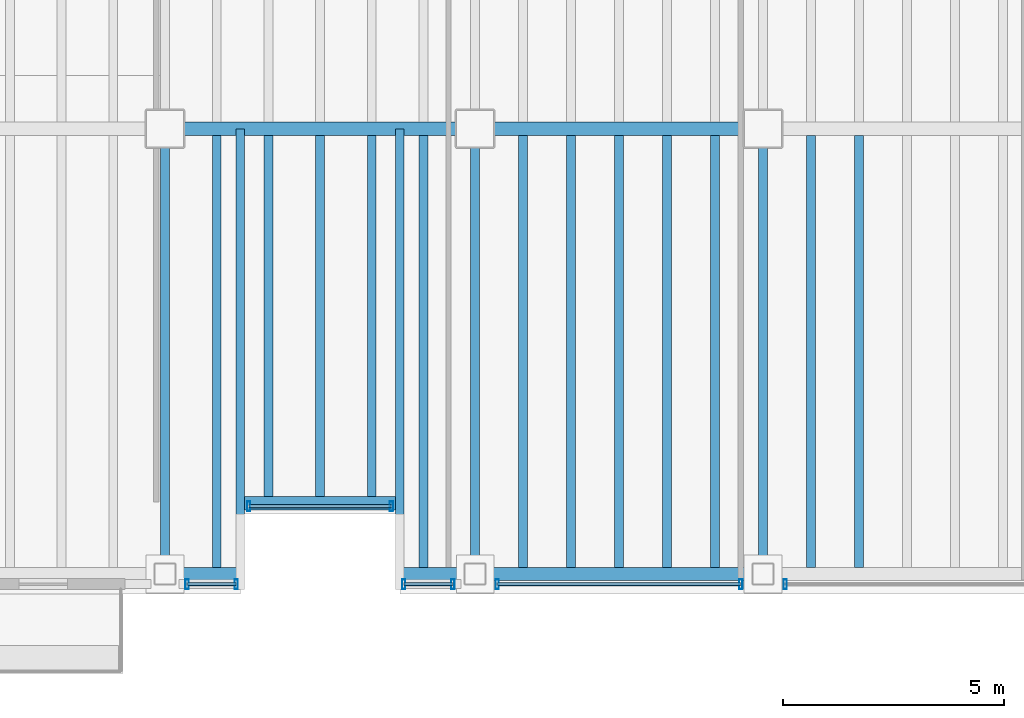
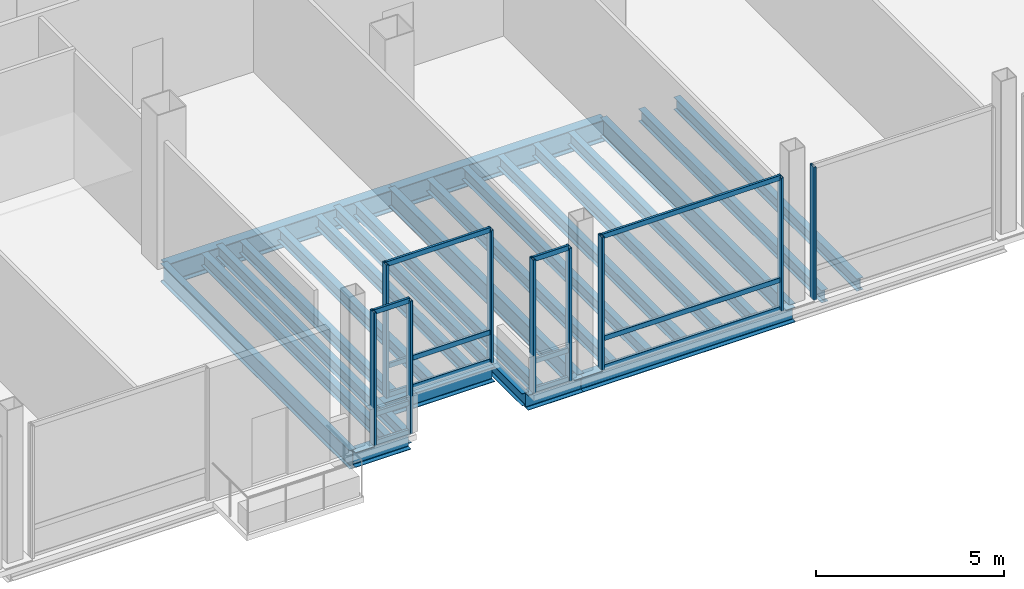
# One storey, part 5 of 22: 23 beams, 21 members, 5 elements without a shape of their own.
"""IFC4 building model written with IfcOpenShell, lengths in metres."""

import ifcopenshell
import ifcopenshell.guid

model = None  # the IFC model being written
_history = None  # IfcOwnerHistory: only IFC2X3 demands one
_inside = {}  # id of a spatial element -> (the spatial element, [elements in it])
_under = {}  # id of a project, library or spatial element -> (it, [spatial elements below it])
_declared = {}  # id of a project -> (the project, [libraries it declares])
_typed = {}  # id of a type object -> (the type object, [elements of that type])
_made_of = {}  # id of a material, layer set ... -> (it, [elements and type objects made of it])


def new_model(schema):
    """Start an empty IFC model of exactly this schema.

    Asked for "IFC4X3", IfcOpenShell would pick the latest addendum, in which some entities
    have other attributes; the version numbers below select the first issue.
    IFC2X3 requires an IfcOwnerHistory on every rooted entity: one is made here for all.
    """
    global model, _history
    if schema == "IFC4X3":
        model = ifcopenshell.file(schema_version=(4, 3, 0, 0))
    else:
        model = ifcopenshell.file(schema=schema)
    _inside.clear()
    _under.clear()
    _declared.clear()
    _typed.clear()
    _made_of.clear()
    _history = None
    if model.schema == "IFC2X3":
        org = make("IfcOrganization", Name="unknown")
        user = make(
            "IfcPersonAndOrganization",
            ThePerson=make("IfcPerson", FamilyName="unknown"),
            TheOrganization=org,
        )
        app = make(
            "IfcApplication",
            ApplicationDeveloper=org,
            Version="unknown",
            ApplicationFullName="unknown",
            ApplicationIdentifier="unknown",
        )
        _history = make(
            "IfcOwnerHistory",
            OwningUser=user,
            OwningApplication=app,
            ChangeAction="ADDED",
            CreationDate=0,
        )
    return model


def make(cls, **values):
    """One entity of the class cls with the attributes given. An attribute that is None is left unset."""
    return model.create_entity(
        cls, **{name: value for name, value in values.items() if value is not None}
    )


def rooted(cls, **values):
    """An entity with a GlobalId (a new one), such as an element, a storey or a relation."""
    return make(cls, GlobalId=ifcopenshell.guid.new(), OwnerHistory=_history, **values)


def si_unit(unit_type, name, prefix=None):
    """IfcSIUnit, for example si_unit("LENGTHUNIT", "METRE", prefix="MILLI")."""
    return make("IfcSIUnit", UnitType=unit_type, Prefix=prefix, Name=name)


def assignment(units):
    """IfcUnitAssignment: the units of a project."""
    return None if units is None else make("IfcUnitAssignment", Units=units)


def point(xyz):
    """IfcCartesianPoint."""
    return None if xyz is None else make("IfcCartesianPoint", Coordinates=xyz)


def direction(xyz):
    """IfcDirection."""
    return None if xyz is None else make("IfcDirection", DirectionRatios=xyz)


def frame(location, z_axis=None, x_axis=None):
    """IfcAxis2Placement3D, a coordinate frame: its origin and axes. An axis left out is left unset."""
    return make(
        "IfcAxis2Placement3D",
        Location=point(location),
        Axis=direction(z_axis),
        RefDirection=direction(x_axis),
    )


def frame_2d(location, x_axis=None):
    """IfcAxis2Placement2D, a coordinate frame in the plane: its origin and x axis."""
    return make(
        "IfcAxis2Placement2D", Location=point(location), RefDirection=direction(x_axis)
    )


def origin():
    """The frame at (0, 0, 0) with its axes left unset."""
    return frame((0.0, 0.0, 0.0))


def origin_2d():
    """The frame at (0, 0) in the plane with its x axis left unset."""
    return frame_2d((0.0, 0.0))


def place(relative_to, where):
    """IfcLocalPlacement: puts the frame where relative to a parent placement (None: the world)."""
    return make(
        "IfcLocalPlacement", PlacementRelTo=relative_to, RelativePlacement=where
    )


def context(
    kind, dimensions, precision=None, world=None, true_north=None, identifier=None
):
    """IfcGeometricRepresentationContext, for example the 3D "Model" context."""
    return make(
        "IfcGeometricRepresentationContext",
        ContextIdentifier=identifier,
        ContextType=kind,
        CoordinateSpaceDimension=dimensions,
        Precision=precision,
        WorldCoordinateSystem=world,
        TrueNorth=true_north,
    )


def subcontext(parent, identifier, kind, view, scale=None):
    """IfcGeometricRepresentationSubContext, for example "Body" below "Model"."""
    return make(
        "IfcGeometricRepresentationSubContext",
        ContextIdentifier=identifier,
        ContextType=kind,
        ParentContext=parent,
        TargetScale=scale,
        TargetView=view,
    )


def project(units=None, contexts=None):
    """IfcProject with its units and contexts."""
    return rooted(
        "IfcProject",
        Name="project",
        RepresentationContexts=contexts,
        UnitsInContext=assignment(units),
    )


def spatial(cls, under=None, at=None, **own):
    """A site, building, storey or space (cls), placed at a placement, below another one or the project."""
    s = rooted(cls, ObjectPlacement=at, **own)
    if under is not None:
        _under.setdefault(under.id(), (under, []))[1].append(s)
    return s


def profile(cls, at=None, kind="AREA", **sizes):
    """A parametric profile (cls). Its sizes go by their IFC names, for example OverallWidth=200.0."""
    return make(cls, ProfileType=kind, Position=at, **sizes)


def hollow_rectangle(**sizes):
    """IfcRectangleHollowProfileDef."""
    return profile("IfcRectangleHollowProfileDef", **sizes)


def i_section(**sizes):
    """IfcIShapeProfileDef."""
    return profile("IfcIShapeProfileDef", **sizes)


def extrude(swept, where, along, depth):
    """IfcExtrudedAreaSolid: the profile swept, set in the frame where, extruded along a direction by depth."""
    return make(
        "IfcExtrudedAreaSolid",
        SweptArea=swept,
        Position=where,
        ExtrudedDirection=direction(along),
        Depth=depth,
    )


def shape(context_of_items, identifier, shape_type, items):
    """IfcShapeRepresentation: the items that make up one representation, for example the "Body"."""
    return make(
        "IfcShapeRepresentation",
        ContextOfItems=context_of_items,
        RepresentationIdentifier=identifier,
        RepresentationType=shape_type,
        Items=items,
    )


def material(Name=None, Category=None):
    """IfcMaterial."""
    return make("IfcMaterial", Name=Name, Category=Category)


def material_profile(
    of_material, cross_section, Name=None, Category=None, Priority=None
):
    """IfcMaterialProfile: a cross section and its material."""
    return make(
        "IfcMaterialProfile",
        Name=Name,
        Material=of_material,
        Profile=cross_section,
        Priority=Priority,
        Category=Category,
    )


def profile_set(profiles, Name=None, composite=None):
    """IfcMaterialProfileSet."""
    return make(
        "IfcMaterialProfileSet",
        Name=Name,
        MaterialProfiles=profiles,
        CompositeProfile=composite,
    )


def made_of(thing, what):
    """Note that an element or type object is made of a material, layer set ...; save() writes the relation."""
    if what is not None:
        _made_of.setdefault(what.id(), (what, []))[1].append(thing)
    return thing


def type_object(cls, material=None, **own):
    """A type object (cls), such as IfcWallType, which elements share."""
    return made_of(rooted(cls, **own), material)


def element(
    cls,
    number,
    at=None,
    inside=None,
    cuts=None,
    type_object=None,
    material=None,
    context=None,
    identifier="Body",
    shape_type=None,
    held_by="IfcProductDefinitionShape",
    body=None,
    shapes=None,
    **own,
):
    """One element of the class cls, such as IfcWall. Its Tag is "e" and its number.

    at: its placement. inside: the storey or other place that contains it. cuts: it is an
    opening in that element (IfcRelVoidsElement). A single representation is given by context,
    identifier, shape_type and body (its items); several are given by shapes. held_by: the class
    of the entity that holds the representations. save() writes the other relations.
    """
    e = rooted(cls, Tag="e%d" % number, ObjectPlacement=at, **own)
    if body is not None:
        shapes = [shape(context, identifier, shape_type, body)]
    if shapes is not None:
        e.Representation = make(held_by, Representations=shapes)
    if inside is not None:
        _inside.setdefault(inside.id(), (inside, []))[1].append(e)
    if cuts is not None:
        rooted(
            "IfcRelVoidsElement", RelatingBuildingElement=cuts, RelatedOpeningElement=e
        )
    if type_object is not None:
        _typed.setdefault(type_object.id(), (type_object, []))[1].append(e)
    return made_of(e, material)


def aggregate(whole, parts):
    """IfcRelAggregates: a whole, such as a stair, and the parts it consists of."""
    return rooted("IfcRelAggregates", RelatingObject=whole, RelatedObjects=parts)


def save(model, path):
    """Write the relations noted so far, then the file.

    IfcRelAggregates (storeys below a building ...), IfcRelContainedInSpatialStructure (elements
    in a storey), IfcRelDefinesByType, IfcRelAssociatesMaterial and IfcRelDeclares: one each for
    every whole, place, type object, material and project.
    """
    for whole, parts in _under.values():
        aggregate(whole, parts)
    for where, things in _inside.values():
        rooted(
            "IfcRelContainedInSpatialStructure",
            RelatedElements=things,
            RelatingStructure=where,
        )
    for kind, things in _typed.values():
        rooted("IfcRelDefinesByType", RelatedObjects=things, RelatingType=kind)
    for what, things in _made_of.values():
        rooted("IfcRelAssociatesMaterial", RelatedObjects=things, RelatingMaterial=what)
    for by, libraries in _declared.values():
        rooted("IfcRelDeclares", RelatingContext=by, RelatedDefinitions=libraries)
    model.write(path)


model = new_model("IFC4")

# Units and contexts
model_context = context("Model", 3, precision=1e-05, world=origin(), true_north=direction((0.0, 1.0)))
body_context = subcontext(model_context, "Body", "Model", "MODEL_VIEW")
ifc_project = project(units=[si_unit("LENGTHUNIT", "METRE"), si_unit("AREAUNIT", "SQUARE_METRE"), si_unit("VOLUMEUNIT", "CUBIC_METRE"), si_unit("PLANEANGLEUNIT", "RADIAN"), si_unit("MASSUNIT", "GRAM", prefix="KILO")], contexts=[model_context])

# Site, building, storey
site_placement = place(None, origin())
site = spatial("IfcSite", under=ifc_project, at=site_placement, CompositionType="ELEMENT")
building_placement = place(site_placement, origin())
building = spatial("IfcBuilding", under=site, at=building_placement, Name="Noeulbin Bourse Tower", CompositionType="ELEMENT")
storey_placement = place(building_placement, frame((0.0, 0.0, 106.0)))
storey = spatial("IfcBuildingStorey", under=building, at=storey_placement, Name="L26", CompositionType="ELEMENT", Elevation=106.0)

# Beams
ifc_material_1 = material(Name="Steel S355", Category="steel")
ifc_material_profile_1 = material_profile(ifc_material_1, i_section(OverallWidth=0.199951171875, OverallDepth=0.60009765625, WebThickness=0.010986328125, FlangeThickness=0.01708984375, FilletRadius=0.02197265625, at=origin_2d()), Name="H-600x200x11x17", Category="LoadBearing")
ifc_profile_set_1 = profile_set([ifc_material_profile_1], Name="Steel S355")
beam_type_1 = type_object("IfcBeamType", Name="BM-GRD-600", PredefinedType="USERDEFINED", material=ifc_profile_set_1)
for number, where, z_axis, x_axis, name in (
    (1, (24.0, 9.949951171875, -0.47998046875), (0.0, 1.0, 0.0), (-1.0, 0.0, 0.0), "Tower Primary Girder NS L26-2.1"),
    (2, (31.0, 9.949951171875, -0.47998046875), (0.0, 1.0, 0.0), (-1.0, 0.0, 0.0), "Tower Primary Girder NS L26-3.1"),
    (3, (37.5, 9.949951171875, -0.47998046875), (0.0, 1.0, 0.0), (-1.0, 0.0, 0.0), "Tower Primary Girder NS L26-4.1"),
):
    element("IfcBeam", number, at=place(storey_placement, frame(where, z_axis=z_axis, x_axis=x_axis)), inside=storey, type_object=beam_type_1, Name=name, ObjectType="GIRDER", PredefinedType="USERDEFINED", context=body_context, shape_type="SweptSolid", body=[
        extrude(i_section(OverallWidth=0.199951171875, OverallDepth=0.60009765625, WebThickness=0.010986328125, FlangeThickness=0.01708984375, FilletRadius=0.02197265625, at=origin_2d()), origin(), (0.0, 0.0, 1.0), 10.050048828125),
    ])
ifc_material_profile_2 = material_profile(ifc_material_1, i_section(OverallWidth=0.300048828125, OverallDepth=0.699951171875, WebThickness=0.012939453125, FlangeThickness=0.02392578125, FilletRadius=0.02392578125, at=origin_2d()), Name="H-700x300x13x24", Category="LoadBearing")
ifc_profile_set_2 = profile_set([ifc_material_profile_2], Name="Steel S355")
beam_type_2 = type_object("IfcBeamType", Name="BM-GRD-700", PredefinedType="USERDEFINED", material=ifc_profile_set_2)
beam_1_placement = place(storey_placement, frame((24.0, 20.0, -0.530029296875), z_axis=(1.0, 0.0, 0.0), x_axis=(0.0, 1.0, 0.0)))
element("IfcBeam", 4, at=beam_1_placement, inside=storey, type_object=beam_type_2, Name="Tower Primary Girder EW L26-1.3", ObjectType="GIRDER", PredefinedType="USERDEFINED", context=body_context, shape_type="SweptSolid", body=[
    extrude(i_section(OverallWidth=0.300048828125, OverallDepth=0.699951171875, WebThickness=0.012939453125, FlangeThickness=0.02392578125, FilletRadius=0.02392578125, at=origin_2d()), origin(), (0.0, 0.0, 1.0), 7.0),
])
beam_2_placement = place(storey_placement, frame((31.0, 20.0, -0.530029296875), z_axis=(1.0, 0.0, 0.0), x_axis=(0.0, 1.0, 0.0)))
element("IfcBeam", 5, at=beam_2_placement, inside=storey, type_object=beam_type_2, Name="Tower Primary Girder EW L26-1.4", ObjectType="GIRDER", PredefinedType="USERDEFINED", context=body_context, shape_type="SweptSolid", body=[
    extrude(i_section(OverallWidth=0.300048828125, OverallDepth=0.699951171875, WebThickness=0.012939453125, FlangeThickness=0.02392578125, FilletRadius=0.02392578125, at=origin_2d()), origin(), (0.0, 0.0, 1.0), 6.5),
])
ifc_material_profile_3 = material_profile(ifc_material_1, i_section(OverallWidth=0.199951171875, OverallDepth=0.39990234375, WebThickness=0.008056640625, FlangeThickness=0.012939453125, FilletRadius=0.01611328125, at=origin_2d()), Name="H-400x200x8x13", Category="LoadBearing")
ifc_profile_set_3 = profile_set([ifc_material_profile_3], Name="Steel S355")
beam_type_3 = type_object("IfcBeamType", Name="BM-SEC-400", PredefinedType="BEAM", material=ifc_profile_set_3)
for number, where, z_axis, x_axis, name in (
    (6, (25.699951171875, 9.949951171875, -0.3798828125), (0.0, 1.0, 0.0), (-1.0, 0.0, 0.0), "BM-L26-SRT-W"),
    (7, (29.300048828125, 9.949951171875, -0.3798828125), (0.0, 1.0, 0.0), (-1.0, 0.0, 0.0), "BM-L26-SRT-E"),
):
    element("IfcBeam", number, at=place(storey_placement, frame(where, z_axis=z_axis, x_axis=x_axis)), inside=storey, type_object=beam_type_3, Name=name, PredefinedType="BEAM", context=body_context, shape_type="SweptSolid", body=[
        extrude(i_section(OverallWidth=0.199951171875, OverallDepth=0.39990234375, WebThickness=0.008056640625, FlangeThickness=0.012939453125, FilletRadius=0.01611328125, at=origin_2d()), origin(), (0.0, 0.0, 1.0), 10.050048828125),
    ])
beam_3_placement = place(storey_placement, frame((25.166748046875, 10.10009765625, -0.3798828125), z_axis=(0.0, 1.0, 0.0), x_axis=(-1.0, 0.0, 0.0)))
element("IfcBeam", 8, at=beam_3_placement, inside=storey, type_object=beam_type_3, Name="Tower Composite Joist L26-25", PredefinedType="BEAM", context=body_context, shape_type="SweptSolid", body=[
    extrude(i_section(OverallWidth=0.199951171875, OverallDepth=0.39990234375, WebThickness=0.008056640625, FlangeThickness=0.012939453125, FilletRadius=0.01611328125, at=origin_2d()), origin(), (0.0, 0.0, 1.0), 9.75),
])
for number, where, z_axis, x_axis, name in (
    (9, (26.333251953125, 11.699951171875, -0.3798828125), (0.0, 1.0, 0.0), (-1.0, 0.0, 0.0), "Tower Composite Joist L26-28"),
    (10, (27.5, 11.699951171875, -0.3798828125), (0.0, 1.0, 0.0), (-1.0, 0.0, 0.0), "Tower Composite Joist L26-31"),
    (11, (28.666748046875, 11.699951171875, -0.3798828125), (0.0, 1.0, 0.0), (-1.0, 0.0, 0.0), "Tower Composite Joist L26-34"),
):
    element("IfcBeam", number, at=place(storey_placement, frame(where, z_axis=z_axis, x_axis=x_axis)), inside=storey, type_object=beam_type_3, Name=name, PredefinedType="BEAM", context=body_context, shape_type="SweptSolid", body=[
        extrude(i_section(OverallWidth=0.199951171875, OverallDepth=0.39990234375, WebThickness=0.008056640625, FlangeThickness=0.012939453125, FilletRadius=0.01611328125, at=origin_2d()), origin(), (0.0, 0.0, 1.0), 8.150146484375),
    ])
for number, where, z_axis, x_axis, name in (
    (12, (29.833251953125, 10.10009765625, -0.3798828125), (0.0, 1.0, 0.0), (-1.0, 0.0, 0.0), "Tower Composite Joist L26-37"),
    (13, (32.083251953125, 10.10009765625, -0.3798828125), (0.0, 1.0, 0.0), (-1.0, 0.0, 0.0), "Tower Composite Joist L26-40"),
    (14, (33.166748046875, 10.10009765625, -0.3798828125), (0.0, 1.0, 0.0), (-1.0, 0.0, 0.0), "Tower Composite Joist L26-43"),
    (15, (34.25, 10.10009765625, -0.3798828125), (0.0, 1.0, 0.0), (-1.0, 0.0, 0.0), "Tower Composite Joist L26-46"),
    (16, (35.333251953125, 10.10009765625, -0.3798828125), (0.0, 1.0, 0.0), (-1.0, 0.0, 0.0), "Tower Composite Joist L26-49"),
    (17, (36.416748046875, 10.10009765625, -0.3798828125), (0.0, 1.0, 0.0), (-1.0, 0.0, 0.0), "Tower Composite Joist L26-52"),
    (18, (38.583251953125, 10.10009765625, -0.3798828125), (0.0, 1.0, 0.0), (-1.0, 0.0, 0.0), "Tower Composite Joist L26-55"),
    (19, (39.666748046875, 10.10009765625, -0.3798828125), (0.0, 1.0, 0.0), (-1.0, 0.0, 0.0), "Tower Composite Joist L26-58"),
):
    element("IfcBeam", number, at=place(storey_placement, frame(where, z_axis=z_axis, x_axis=x_axis)), inside=storey, type_object=beam_type_3, Name=name, PredefinedType="BEAM", context=body_context, shape_type="SweptSolid", body=[
        extrude(i_section(OverallWidth=0.199951171875, OverallDepth=0.39990234375, WebThickness=0.008056640625, FlangeThickness=0.012939453125, FilletRadius=0.01611328125, at=origin_2d()), origin(), (0.0, 0.0, 1.0), 9.75),
    ])
ifc_material_profile_4 = material_profile(ifc_material_1, i_section(OverallWidth=0.300048828125, OverallDepth=0.488037109375, WebThickness=0.010986328125, FlangeThickness=0.01806640625, FilletRadius=0.02197265625, at=origin_2d()), Name="H-488x300x11x18", Category="LoadBearing")
ifc_profile_set_4 = profile_set([ifc_material_profile_4], Name="Steel S355")
beam_type_4 = type_object("IfcBeamType", Name="BM-SPN-488", PredefinedType="SPANDREL", material=ifc_profile_set_4)
beam_4_placement = place(storey_placement, frame((25.800048828125, 11.550048828125, -0.424072265625), z_axis=(1.0, 0.0, 0.0), x_axis=(0.0, 1.0, 0.0)))
element("IfcBeam", 20, at=beam_4_placement, inside=storey, type_object=beam_type_4, Name="South Recess Spandrel L26-2B", PredefinedType="SPANDREL", context=body_context, shape_type="SweptSolid", body=[
    extrude(i_section(OverallWidth=0.300048828125, OverallDepth=0.488037109375, WebThickness=0.010986328125, FlangeThickness=0.01806640625, FilletRadius=0.02197265625, at=origin_2d()), origin(), (0.0, 0.0, 1.0), 3.39990234375),
])
for number, where, z_axis, x_axis, name in (
    (21, (24.0, 9.949951171875, -0.424072265625), (1.0, 0.0, 0.0), (0.0, 1.0, 0.0), "South Spandrel L26-2A"),
    (22, (29.300048828125, 9.949951171875, -0.424072265625), (1.0, 0.0, 0.0), (0.0, 1.0, 0.0), "South Spandrel L26-2C"),
):
    element("IfcBeam", number, at=place(storey_placement, frame(where, z_axis=z_axis, x_axis=x_axis)), inside=storey, type_object=beam_type_4, Name=name, PredefinedType="SPANDREL", context=body_context, shape_type="SweptSolid", body=[
        extrude(i_section(OverallWidth=0.300048828125, OverallDepth=0.488037109375, WebThickness=0.010986328125, FlangeThickness=0.01806640625, FilletRadius=0.02197265625, at=origin_2d()), origin(), (0.0, 0.0, 1.0), 1.699951171875),
    ])
beam_5_placement = place(storey_placement, frame((31.0, 9.949951171875, -0.424072265625), z_axis=(1.0, 0.0, 0.0), x_axis=(0.0, 1.0, 0.0)))
element("IfcBeam", 23, at=beam_5_placement, inside=storey, type_object=beam_type_4, Name="South Spandrel L26-3", PredefinedType="SPANDREL", context=body_context, shape_type="SweptSolid", body=[
    extrude(i_section(OverallWidth=0.300048828125, OverallDepth=0.488037109375, WebThickness=0.010986328125, FlangeThickness=0.01806640625, FilletRadius=0.02197265625, at=origin_2d()), origin(), (0.0, 0.0, 1.0), 6.5),
])

# Curtain wall, members
ifc_material_2 = material(Name="Dark Tinted Triple Glazing", Category="glass")
curtain_wall_type = type_object("IfcCurtainWallType", Name="CW-SYS-3", PredefinedType="NOTDEFINED", material=ifc_material_2)
curtain_wall_1_placement = place(storey_placement, origin())
curtain_wall_1 = element("IfcCurtainWall", 24, at=curtain_wall_1_placement, inside=storey, type_object=curtain_wall_type, Name="Unitised Curtain Wall CW-L26-SREC", PredefinedType="NOTDEFINED")
ifc_material_3 = material(Name="Anodised Aluminium 6063-T6", Category="aluminium")
ifc_material_profile_5 = material_profile(ifc_material_3, hollow_rectangle(XDim=0.074951171875, YDim=0.219970703125, WallThickness=0.0048828125, InnerFilletRadius=0.00244140625, OuterFilletRadius=0.0048828125, at=origin_2d()), Name="ALU-MULL-75x220x5", Category="LoadBearing")
ifc_profile_set_5 = profile_set([ifc_material_profile_5], Name="Anodised Aluminium 6063-T6")
member_type_1 = type_object("IfcMemberType", Name="CW-SYS-3-MUL", PredefinedType="MULLION", material=ifc_profile_set_5)
member_1_placement = place(storey_placement, frame((25.889892578125, 11.47998046875, -0.02001953125), z_axis=(0.0, 0.0, 1.0), x_axis=(1.0, 0.0, 0.0)))
member_1 = element("IfcMember", 25, at=member_1_placement, type_object=member_type_1, Name="Curtain Wall Mullion CW-L26-SREC-M00", PredefinedType="MULLION", context=body_context, shape_type="SweptSolid", body=[
    extrude(hollow_rectangle(XDim=0.074951171875, YDim=0.219970703125, WallThickness=0.0048828125, InnerFilletRadius=0.00244140625, OuterFilletRadius=0.0048828125, at=origin_2d()), origin(), (0.0, 0.0, 1.0), 4.320068359375),
])
member_2_placement = place(storey_placement, frame((29.110107421875, 11.47998046875, -0.02001953125), z_axis=(0.0, 0.0, 1.0), x_axis=(1.0, 0.0, 0.0)))
member_2 = element("IfcMember", 26, at=member_2_placement, type_object=member_type_1, Name="Curtain Wall Mullion CW-L26-SREC-M01", PredefinedType="MULLION", context=body_context, shape_type="SweptSolid", body=[
    extrude(hollow_rectangle(XDim=0.074951171875, YDim=0.219970703125, WallThickness=0.0048828125, InnerFilletRadius=0.00244140625, OuterFilletRadius=0.0048828125, at=origin_2d()), origin(), (0.0, 0.0, 1.0), 4.320068359375),
])

curtain_wall_2_placement = place(storey_placement, origin())
curtain_wall_2 = element("IfcCurtainWall", 27, at=curtain_wall_2_placement, inside=storey, type_object=curtain_wall_type, Name="Unitised Curtain Wall CW-L26-S2", PredefinedType="NOTDEFINED")
member_3_placement = place(storey_placement, frame((24.5, 9.719970703125, -0.02001953125), z_axis=(0.0, 0.0, 1.0), x_axis=(1.0, 0.0, 0.0)))
member_3 = element("IfcMember", 28, at=member_3_placement, type_object=member_type_1, Name="Curtain Wall Mullion CW-L26-S2-M00", PredefinedType="MULLION", context=body_context, shape_type="SweptSolid", body=[
    extrude(hollow_rectangle(XDim=0.074951171875, YDim=0.219970703125, WallThickness=0.0048828125, InnerFilletRadius=0.00244140625, OuterFilletRadius=0.0048828125, at=origin_2d()), origin(), (0.0, 0.0, 1.0), 4.320068359375),
])
member_4_placement = place(storey_placement, frame((25.610107421875, 9.719970703125, -0.02001953125), z_axis=(0.0, 0.0, 1.0), x_axis=(1.0, 0.0, 0.0)))
member_4 = element("IfcMember", 29, at=member_4_placement, type_object=member_type_1, Name="Curtain Wall Mullion CW-L26-S2-M01", PredefinedType="MULLION", context=body_context, shape_type="SweptSolid", body=[
    extrude(hollow_rectangle(XDim=0.074951171875, YDim=0.219970703125, WallThickness=0.0048828125, InnerFilletRadius=0.00244140625, OuterFilletRadius=0.0048828125, at=origin_2d()), origin(), (0.0, 0.0, 1.0), 4.320068359375),
])

curtain_wall_3_placement = place(storey_placement, origin())
curtain_wall_3 = element("IfcCurtainWall", 30, at=curtain_wall_3_placement, inside=storey, type_object=curtain_wall_type, Name="Unitised Curtain Wall CW-L26-S3-S1", PredefinedType="NOTDEFINED")
member_5_placement = place(storey_placement, frame((29.389892578125, 9.719970703125, -0.02001953125), z_axis=(0.0, 0.0, 1.0), x_axis=(1.0, 0.0, 0.0)))
member_5 = element("IfcMember", 31, at=member_5_placement, type_object=member_type_1, Name="Curtain Wall Mullion CW-L26-S3-S1-M00", PredefinedType="MULLION", context=body_context, shape_type="SweptSolid", body=[
    extrude(hollow_rectangle(XDim=0.074951171875, YDim=0.219970703125, WallThickness=0.0048828125, InnerFilletRadius=0.00244140625, OuterFilletRadius=0.0048828125, at=origin_2d()), origin(), (0.0, 0.0, 1.0), 4.320068359375),
])
member_6_placement = place(storey_placement, frame((30.5, 9.719970703125, -0.02001953125), z_axis=(0.0, 0.0, 1.0), x_axis=(1.0, 0.0, 0.0)))
member_6 = element("IfcMember", 32, at=member_6_placement, type_object=member_type_1, Name="Curtain Wall Mullion CW-L26-S3-S1-M01", PredefinedType="MULLION", context=body_context, shape_type="SweptSolid", body=[
    extrude(hollow_rectangle(XDim=0.074951171875, YDim=0.219970703125, WallThickness=0.0048828125, InnerFilletRadius=0.00244140625, OuterFilletRadius=0.0048828125, at=origin_2d()), origin(), (0.0, 0.0, 1.0), 4.320068359375),
])

curtain_wall_4_placement = place(storey_placement, origin())
curtain_wall_4 = element("IfcCurtainWall", 33, at=curtain_wall_4_placement, inside=storey, type_object=curtain_wall_type, Name="Unitised Curtain Wall CW-L26-S3-S2", PredefinedType="NOTDEFINED")
member_7_placement = place(storey_placement, frame((31.5, 9.719970703125, -0.02001953125), z_axis=(0.0, 0.0, 1.0), x_axis=(1.0, 0.0, 0.0)))
member_7 = element("IfcMember", 34, at=member_7_placement, type_object=member_type_1, Name="Curtain Wall Mullion CW-L26-S3-S2-M00", PredefinedType="MULLION", context=body_context, shape_type="SweptSolid", body=[
    extrude(hollow_rectangle(XDim=0.074951171875, YDim=0.219970703125, WallThickness=0.0048828125, InnerFilletRadius=0.00244140625, OuterFilletRadius=0.0048828125, at=origin_2d()), origin(), (0.0, 0.0, 1.0), 4.320068359375),
])
member_8_placement = place(storey_placement, frame((37.0, 9.719970703125, -0.02001953125), z_axis=(0.0, 0.0, 1.0), x_axis=(1.0, 0.0, 0.0)))
member_8 = element("IfcMember", 35, at=member_8_placement, type_object=member_type_1, Name="Curtain Wall Mullion CW-L26-S3-S2-M01", PredefinedType="MULLION", context=body_context, shape_type="SweptSolid", body=[
    extrude(hollow_rectangle(XDim=0.074951171875, YDim=0.219970703125, WallThickness=0.0048828125, InnerFilletRadius=0.00244140625, OuterFilletRadius=0.0048828125, at=origin_2d()), origin(), (0.0, 0.0, 1.0), 4.320068359375),
])

# Curtain wall, member
curtain_wall_5_placement = place(storey_placement, origin())
curtain_wall_5 = element("IfcCurtainWall", 36, at=curtain_wall_5_placement, inside=storey, type_object=curtain_wall_type, Name="Unitised Curtain Wall CW-L26-S3-S3", PredefinedType="NOTDEFINED")
member_9_placement = place(storey_placement, frame((38.0, 9.719970703125, -0.02001953125), z_axis=(0.0, 0.0, 1.0), x_axis=(1.0, 0.0, 0.0)))
member_9 = element("IfcMember", 37, at=member_9_placement, type_object=member_type_1, Name="Curtain Wall Mullion CW-L26-S3-S3-M00", PredefinedType="MULLION", context=body_context, shape_type="SweptSolid", body=[
    extrude(hollow_rectangle(XDim=0.074951171875, YDim=0.219970703125, WallThickness=0.0048828125, InnerFilletRadius=0.00244140625, OuterFilletRadius=0.0048828125, at=origin_2d()), origin(), (0.0, 0.0, 1.0), 4.320068359375),
])
aggregate(curtain_wall_5, [member_9])

# Member
ifc_material_profile_6 = material_profile(ifc_material_3, hollow_rectangle(XDim=0.074951171875, YDim=0.159912109375, WallThickness=0.0048828125, InnerFilletRadius=0.00244140625, OuterFilletRadius=0.0048828125, at=origin_2d()), Name="ALU-TRAN-75x160x5", Category="LoadBearing")
ifc_profile_set_6 = profile_set([ifc_material_profile_6], Name="Anodised Aluminium 6063-T6")
member_type_2 = type_object("IfcMemberType", Name="CW-SYS-3-TRN", PredefinedType="USERDEFINED", material=ifc_profile_set_6)
member_10_placement = place(storey_placement, frame((25.89990234375, 11.47998046875, 0.010009765625), z_axis=(1.0, 0.0, 0.0), x_axis=(0.0, 1.0, 0.0)))
member_10 = element("IfcMember", 38, at=member_10_placement, type_object=member_type_2, Name="Curtain Wall Transom CW-L26-SREC-T00", ObjectType="TRANSOM", PredefinedType="USERDEFINED", context=body_context, shape_type="SweptSolid", body=[
    extrude(hollow_rectangle(XDim=0.074951171875, YDim=0.159912109375, WallThickness=0.0048828125, InnerFilletRadius=0.00244140625, OuterFilletRadius=0.0048828125, at=origin_2d()), origin(), (0.0, 0.0, 1.0), 3.2001953125),
])

member_11_placement = place(storey_placement, frame((25.89990234375, 11.47998046875, 0.949951171875), z_axis=(1.0, 0.0, 0.0), x_axis=(0.0, 1.0, 0.0)))
member_11 = element("IfcMember", 39, at=member_11_placement, type_object=member_type_2, Name="Curtain Wall Transom CW-L26-SREC-T01", ObjectType="TRANSOM", PredefinedType="USERDEFINED", context=body_context, shape_type="SweptSolid", body=[
    extrude(hollow_rectangle(XDim=0.074951171875, YDim=0.159912109375, WallThickness=0.0048828125, InnerFilletRadius=0.00244140625, OuterFilletRadius=0.0048828125, at=origin_2d()), origin(), (0.0, 0.0, 1.0), 3.2001953125),
])

member_12_placement = place(storey_placement, frame((25.89990234375, 11.47998046875, 4.27001953125), z_axis=(1.0, 0.0, 0.0), x_axis=(0.0, 1.0, 0.0)))
member_12 = element("IfcMember", 40, at=member_12_placement, type_object=member_type_2, Name="Curtain Wall Transom CW-L26-SREC-T02", ObjectType="TRANSOM", PredefinedType="USERDEFINED", context=body_context, shape_type="SweptSolid", body=[
    extrude(hollow_rectangle(XDim=0.074951171875, YDim=0.159912109375, WallThickness=0.0048828125, InnerFilletRadius=0.00244140625, OuterFilletRadius=0.0048828125, at=origin_2d()), origin(), (0.0, 0.0, 1.0), 3.2001953125),
])

aggregate(curtain_wall_1, [member_1, member_2, member_10, member_11, member_12])

member_13_placement = place(storey_placement, frame((24.510009765625, 9.719970703125, 0.010009765625), z_axis=(1.0, 0.0, 0.0), x_axis=(0.0, 1.0, 0.0)))
member_13 = element("IfcMember", 41, at=member_13_placement, type_object=member_type_2, Name="Curtain Wall Transom CW-L26-S2-T00", ObjectType="TRANSOM", PredefinedType="USERDEFINED", context=body_context, shape_type="SweptSolid", body=[
    extrude(hollow_rectangle(XDim=0.074951171875, YDim=0.159912109375, WallThickness=0.0048828125, InnerFilletRadius=0.00244140625, OuterFilletRadius=0.0048828125, at=origin_2d()), origin(), (0.0, 0.0, 1.0), 1.090087890625),
])

member_14_placement = place(storey_placement, frame((24.510009765625, 9.719970703125, 0.949951171875), z_axis=(1.0, 0.0, 0.0), x_axis=(0.0, 1.0, 0.0)))
member_14 = element("IfcMember", 42, at=member_14_placement, type_object=member_type_2, Name="Curtain Wall Transom CW-L26-S2-T01", ObjectType="TRANSOM", PredefinedType="USERDEFINED", context=body_context, shape_type="SweptSolid", body=[
    extrude(hollow_rectangle(XDim=0.074951171875, YDim=0.159912109375, WallThickness=0.0048828125, InnerFilletRadius=0.00244140625, OuterFilletRadius=0.0048828125, at=origin_2d()), origin(), (0.0, 0.0, 1.0), 1.090087890625),
])

member_15_placement = place(storey_placement, frame((24.510009765625, 9.719970703125, 4.27001953125), z_axis=(1.0, 0.0, 0.0), x_axis=(0.0, 1.0, 0.0)))
member_15 = element("IfcMember", 43, at=member_15_placement, type_object=member_type_2, Name="Curtain Wall Transom CW-L26-S2-T02", ObjectType="TRANSOM", PredefinedType="USERDEFINED", context=body_context, shape_type="SweptSolid", body=[
    extrude(hollow_rectangle(XDim=0.074951171875, YDim=0.159912109375, WallThickness=0.0048828125, InnerFilletRadius=0.00244140625, OuterFilletRadius=0.0048828125, at=origin_2d()), origin(), (0.0, 0.0, 1.0), 1.090087890625),
])

aggregate(curtain_wall_2, [member_3, member_4, member_13, member_14, member_15])

member_16_placement = place(storey_placement, frame((29.39990234375, 9.719970703125, 0.010009765625), z_axis=(1.0, 0.0, 0.0), x_axis=(0.0, 1.0, 0.0)))
member_16 = element("IfcMember", 44, at=member_16_placement, type_object=member_type_2, Name="Curtain Wall Transom CW-L26-S3-S1-T00", ObjectType="TRANSOM", PredefinedType="USERDEFINED", context=body_context, shape_type="SweptSolid", body=[
    extrude(hollow_rectangle(XDim=0.074951171875, YDim=0.159912109375, WallThickness=0.0048828125, InnerFilletRadius=0.00244140625, OuterFilletRadius=0.0048828125, at=origin_2d()), origin(), (0.0, 0.0, 1.0), 1.090087890625),
])

member_17_placement = place(storey_placement, frame((29.39990234375, 9.719970703125, 0.949951171875), z_axis=(1.0, 0.0, 0.0), x_axis=(0.0, 1.0, 0.0)))
member_17 = element("IfcMember", 45, at=member_17_placement, type_object=member_type_2, Name="Curtain Wall Transom CW-L26-S3-S1-T01", ObjectType="TRANSOM", PredefinedType="USERDEFINED", context=body_context, shape_type="SweptSolid", body=[
    extrude(hollow_rectangle(XDim=0.074951171875, YDim=0.159912109375, WallThickness=0.0048828125, InnerFilletRadius=0.00244140625, OuterFilletRadius=0.0048828125, at=origin_2d()), origin(), (0.0, 0.0, 1.0), 1.090087890625),
])

member_18_placement = place(storey_placement, frame((29.39990234375, 9.719970703125, 4.27001953125), z_axis=(1.0, 0.0, 0.0), x_axis=(0.0, 1.0, 0.0)))
member_18 = element("IfcMember", 46, at=member_18_placement, type_object=member_type_2, Name="Curtain Wall Transom CW-L26-S3-S1-T02", ObjectType="TRANSOM", PredefinedType="USERDEFINED", context=body_context, shape_type="SweptSolid", body=[
    extrude(hollow_rectangle(XDim=0.074951171875, YDim=0.159912109375, WallThickness=0.0048828125, InnerFilletRadius=0.00244140625, OuterFilletRadius=0.0048828125, at=origin_2d()), origin(), (0.0, 0.0, 1.0), 1.090087890625),
])

aggregate(curtain_wall_3, [member_5, member_6, member_16, member_17, member_18])

member_19_placement = place(storey_placement, frame((31.510009765625, 9.719970703125, 0.010009765625), z_axis=(1.0, 0.0, 0.0), x_axis=(0.0, 1.0, 0.0)))
member_19 = element("IfcMember", 47, at=member_19_placement, type_object=member_type_2, Name="Curtain Wall Transom CW-L26-S3-S2-T00", ObjectType="TRANSOM", PredefinedType="USERDEFINED", context=body_context, shape_type="SweptSolid", body=[
    extrude(hollow_rectangle(XDim=0.074951171875, YDim=0.159912109375, WallThickness=0.0048828125, InnerFilletRadius=0.00244140625, OuterFilletRadius=0.0048828125, at=origin_2d()), origin(), (0.0, 0.0, 1.0), 5.47998046875),
])

member_20_placement = place(storey_placement, frame((31.510009765625, 9.719970703125, 0.949951171875), z_axis=(1.0, 0.0, 0.0), x_axis=(0.0, 1.0, 0.0)))
member_20 = element("IfcMember", 48, at=member_20_placement, type_object=member_type_2, Name="Curtain Wall Transom CW-L26-S3-S2-T01", ObjectType="TRANSOM", PredefinedType="USERDEFINED", context=body_context, shape_type="SweptSolid", body=[
    extrude(hollow_rectangle(XDim=0.074951171875, YDim=0.159912109375, WallThickness=0.0048828125, InnerFilletRadius=0.00244140625, OuterFilletRadius=0.0048828125, at=origin_2d()), origin(), (0.0, 0.0, 1.0), 5.47998046875),
])

member_21_placement = place(storey_placement, frame((31.510009765625, 9.719970703125, 4.27001953125), z_axis=(1.0, 0.0, 0.0), x_axis=(0.0, 1.0, 0.0)))
member_21 = element("IfcMember", 49, at=member_21_placement, type_object=member_type_2, Name="Curtain Wall Transom CW-L26-S3-S2-T02", ObjectType="TRANSOM", PredefinedType="USERDEFINED", context=body_context, shape_type="SweptSolid", body=[
    extrude(hollow_rectangle(XDim=0.074951171875, YDim=0.159912109375, WallThickness=0.0048828125, InnerFilletRadius=0.00244140625, OuterFilletRadius=0.0048828125, at=origin_2d()), origin(), (0.0, 0.0, 1.0), 5.47998046875),
])

aggregate(curtain_wall_4, [member_7, member_8, member_19, member_20, member_21])

save(model, "model.ifc")
